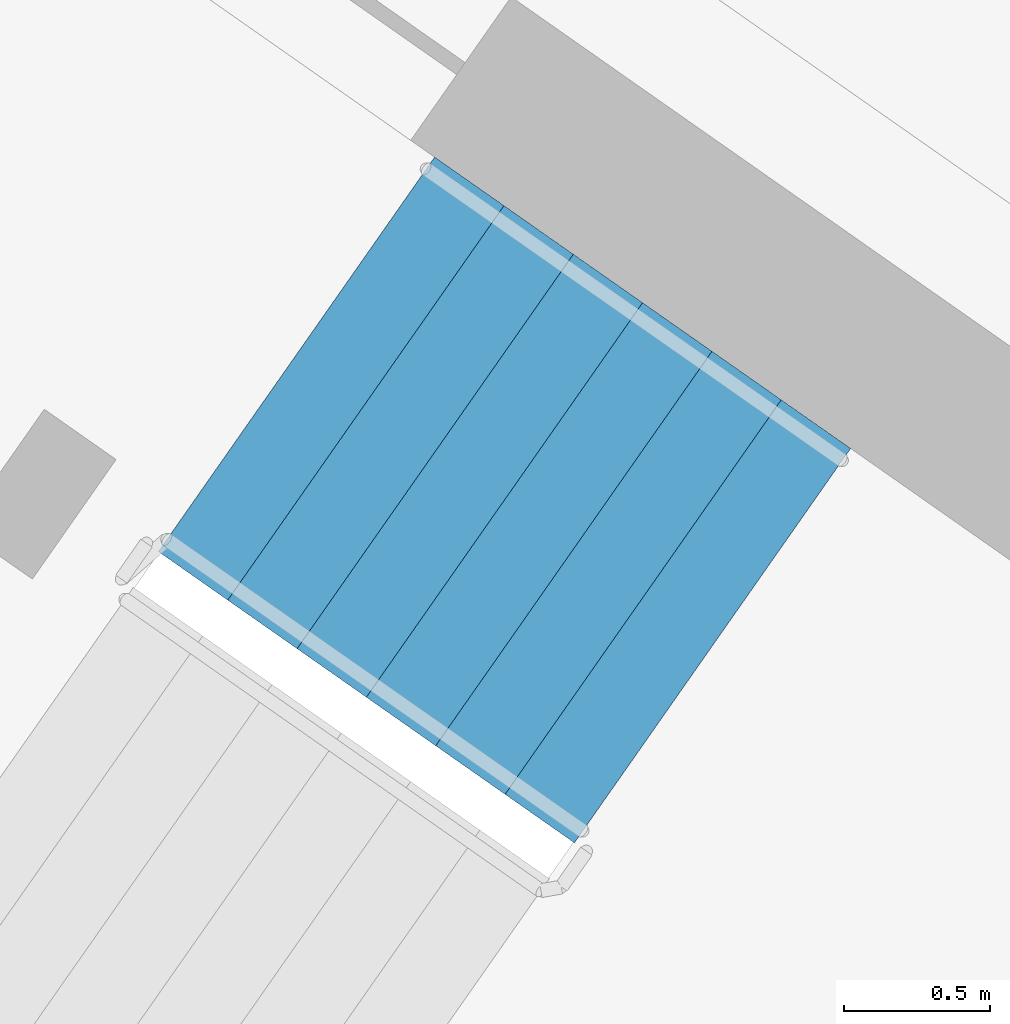
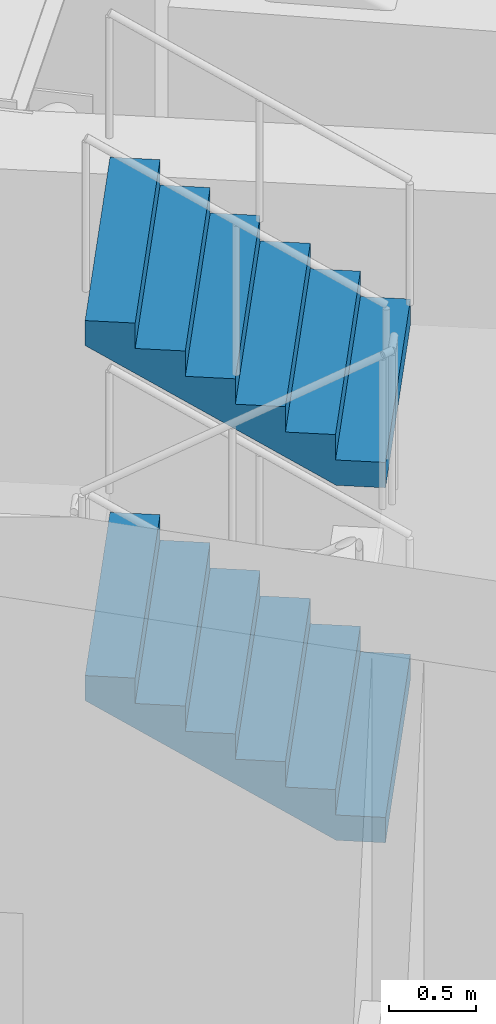
# One storey, part 16 of 24: 2 stair flights, 1 element without a shape of its own.
"""IFC4 building model written with IfcOpenShell, lengths in metres."""

from ifc_helpers import new_model, si_unit, direction, frame, origin, place, context, subcontext, project, spatial, faceted_brep, material, type_object, element, aggregate, save


model = new_model("IFC4")

# Units and contexts
model_context = context("Model", 3, precision=1e-05, world=origin(), true_north=direction((0.0, 1.0)))
body_context = subcontext(model_context, "Body", "Model", "MODEL_VIEW")
ifc_project = project(units=[si_unit("LENGTHUNIT", "METRE"), si_unit("AREAUNIT", "SQUARE_METRE"), si_unit("VOLUMEUNIT", "CUBIC_METRE"), si_unit("PLANEANGLEUNIT", "RADIAN"), si_unit("MASSUNIT", "GRAM", prefix="KILO")], contexts=[model_context])

# Site, building, storey
site_placement = place(None, origin())
site = spatial("IfcSite", under=ifc_project, at=site_placement, CompositionType="ELEMENT")
building_placement = place(site_placement, origin())
building = spatial("IfcBuilding", under=site, at=building_placement, Name="Qamariyya Broadcast Tower", CompositionType="ELEMENT")
storey_placement = place(building_placement, frame((0.0, 0.0, 198.699951171875)))
storey = spatial("IfcBuildingStorey", under=building, at=storey_placement, Name="L47", CompositionType="ELEMENT", Elevation=198.699951171875)

# Stair, stair flights
ifc_material = material(Name="Concrete C50/60", Category="concrete")
stair_type = type_object("IfcStairType", Name="Exit stair 28 risers of 179 mm", PredefinedType="HALF_TURN_STAIR", material=ifc_material)
stair_placement = place(storey_placement, origin())
stair = element("IfcStair", 1, at=stair_placement, inside=storey, type_object=stair_type, Name="L47 Stair W2", PredefinedType="HALF_TURN_STAIR")
stair_flight_type = type_object("IfcStairFlightType", Name="Exit stair flight 7 risers of 179 mm", PredefinedType="STRAIGHT", material=ifc_material)
stair_flight_1_placement = place(storey_placement, frame((-39.133544921875, -48.683349609375, 1.25), z_axis=(0.0, 0.0, 1.0), x_axis=(-0.819152044289, 0.573576436351, 0.0)))
stair_flight_1 = element("IfcStairFlight", 2, at=stair_flight_1_placement, type_object=stair_flight_type, Name="ST-W2 flight 2", NumberOfRisers=7, NumberOfTreads=6, PredefinedType="STRAIGHT", RiserHeight=0.178571429, TreadLength=0.29, context=body_context, shape_type="Brep", body=[
    faceted_brep([(0.0, 0.824951171875, 0.0), (0.0, 0.824951171875, 0.178466796875), (0.2900390625, 0.824951171875, 0.178466796875), (0.2900390625, 0.824951171875, 0.357177734375), (0.580078125, 0.824951171875, 0.357177734375), (0.580078125, 0.824951171875, 0.53564453125), (0.8701171875, 0.824951171875, 0.53564453125), (0.8701171875, 0.824951171875, 0.71435546875), (1.159912109375, 0.824951171875, 0.71435546875), (1.159912109375, 0.824951171875, 0.892822265625), (1.449951171875, 0.824951171875, 0.892822265625), (1.449951171875, 0.824951171875, 1.071533203125), (1.739990234375, 0.824951171875, 1.071533203125), (1.739990234375, 0.824951171875, 0.8955078125), (0.285888671875, 0.824951171875, 0.0), (0.285888671875, -0.824951171875, 0.0), (1.739990234375, -0.824951171875, 0.8955078125), (1.739990234375, -0.824951171875, 1.071533203125), (1.449951171875, -0.824951171875, 1.071533203125), (1.449951171875, -0.824951171875, 0.892822265625), (1.159912109375, -0.824951171875, 0.892822265625), (1.159912109375, -0.824951171875, 0.71435546875), (0.8701171875, -0.824951171875, 0.71435546875), (0.8701171875, -0.824951171875, 0.53564453125), (0.580078125, -0.824951171875, 0.53564453125), (0.580078125, -0.824951171875, 0.357177734375), (0.2900390625, -0.824951171875, 0.357177734375), (0.2900390625, -0.824951171875, 0.178466796875), (0.0, -0.824951171875, 0.178466796875), (0.0, -0.824951171875, 0.0), (0.0, 0.10009765625, 0.0), (0.0, 0.086669921875, 0.0), (0.0, 0.0732421875, 0.0), (0.0, 0.06005859375, 0.0), (0.0, 0.046630859375, 0.0), (0.0, 0.033447265625, 0.0), (0.0, 0.02001953125, 0.0), (0.0, 0.006591796875, 0.0), (0.0, -0.006591796875, 0.0), (0.0, -0.02001953125, 0.0), (0.0, -0.033447265625, 0.0), (0.0, -0.046630859375, 0.0), (0.0, -0.06005859375, 0.0), (0.0, -0.0732421875, 0.0), (0.0, -0.086669921875, 0.0), (0.0, -0.10009765625, 0.0), (0.0, -0.10009765625, 0.178466796875), (0.0, -0.086669921875, 0.178466796875), (0.0, -0.0732421875, 0.178466796875), (0.0, -0.06005859375, 0.178466796875), (0.0, -0.046630859375, 0.178466796875), (0.0, -0.033447265625, 0.178466796875), (0.0, -0.02001953125, 0.178466796875), (0.0, -0.006591796875, 0.178466796875), (0.0, 0.006591796875, 0.178466796875), (0.0, 0.02001953125, 0.178466796875), (0.0, 0.033447265625, 0.178466796875), (0.0, 0.046630859375, 0.178466796875), (0.0, 0.06005859375, 0.178466796875), (0.0, 0.0732421875, 0.178466796875), (0.0, 0.086669921875, 0.178466796875), (0.0, 0.10009765625, 0.178466796875), (0.2900390625, -0.10009765625, 0.178466796875), (0.2900390625, -0.086669921875, 0.178466796875), (0.2900390625, -0.0732421875, 0.178466796875), (0.2900390625, -0.06005859375, 0.178466796875), (0.2900390625, -0.046630859375, 0.178466796875), (0.2900390625, -0.033447265625, 0.178466796875), (0.2900390625, -0.02001953125, 0.178466796875), (0.2900390625, -0.006591796875, 0.178466796875), (0.2900390625, 0.006591796875, 0.178466796875), (0.2900390625, 0.02001953125, 0.178466796875), (0.2900390625, 0.033447265625, 0.178466796875), (0.2900390625, 0.046630859375, 0.178466796875), (0.2900390625, 0.06005859375, 0.178466796875), (0.2900390625, 0.0732421875, 0.178466796875), (0.2900390625, 0.086669921875, 0.178466796875), (0.2900390625, 0.10009765625, 0.178466796875), (0.2900390625, -0.10009765625, 0.357177734375), (0.2900390625, -0.086669921875, 0.357177734375), (0.2900390625, -0.0732421875, 0.357177734375), (0.2900390625, -0.06005859375, 0.357177734375), (0.2900390625, -0.046630859375, 0.357177734375), (0.2900390625, -0.033447265625, 0.357177734375), (0.2900390625, -0.02001953125, 0.357177734375), (0.2900390625, -0.006591796875, 0.357177734375), (0.2900390625, 0.006591796875, 0.357177734375), (0.2900390625, 0.02001953125, 0.357177734375), (0.2900390625, 0.033447265625, 0.357177734375), (0.2900390625, 0.046630859375, 0.357177734375), (0.2900390625, 0.06005859375, 0.357177734375), (0.2900390625, 0.0732421875, 0.357177734375), (0.2900390625, 0.086669921875, 0.357177734375), (0.2900390625, 0.10009765625, 0.357177734375), (0.580078125, -0.10009765625, 0.357177734375), (0.580078125, -0.086669921875, 0.357177734375), (0.580078125, -0.0732421875, 0.357177734375), (0.580078125, -0.06005859375, 0.357177734375), (0.580078125, -0.046630859375, 0.357177734375), (0.580078125, -0.033447265625, 0.357177734375), (0.580078125, -0.02001953125, 0.357177734375), (0.580078125, -0.006591796875, 0.357177734375), (0.580078125, 0.006591796875, 0.357177734375), (0.580078125, 0.02001953125, 0.357177734375), (0.580078125, 0.033447265625, 0.357177734375), (0.580078125, 0.046630859375, 0.357177734375), (0.580078125, 0.06005859375, 0.357177734375), (0.580078125, 0.0732421875, 0.357177734375), (0.580078125, 0.086669921875, 0.357177734375), (0.580078125, 0.10009765625, 0.357177734375), (0.580078125, -0.10009765625, 0.53564453125), (0.580078125, -0.086669921875, 0.53564453125), (0.580078125, -0.0732421875, 0.53564453125), (0.580078125, -0.06005859375, 0.53564453125), (0.580078125, -0.046630859375, 0.53564453125), (0.580078125, -0.033447265625, 0.53564453125), (0.580078125, -0.02001953125, 0.53564453125), (0.580078125, -0.006591796875, 0.53564453125), (0.580078125, 0.006591796875, 0.53564453125), (0.580078125, 0.02001953125, 0.53564453125), (0.580078125, 0.033447265625, 0.53564453125), (0.580078125, 0.046630859375, 0.53564453125), (0.580078125, 0.06005859375, 0.53564453125), (0.580078125, 0.0732421875, 0.53564453125), (0.580078125, 0.086669921875, 0.53564453125), (0.580078125, 0.10009765625, 0.53564453125), (0.8701171875, -0.10009765625, 0.53564453125), (0.8701171875, -0.086669921875, 0.53564453125), (0.8701171875, -0.0732421875, 0.53564453125), (0.8701171875, -0.06005859375, 0.53564453125), (0.8701171875, -0.046630859375, 0.53564453125), (0.8701171875, -0.033447265625, 0.53564453125), (0.8701171875, -0.02001953125, 0.53564453125), (0.8701171875, -0.006591796875, 0.53564453125), (0.8701171875, 0.006591796875, 0.53564453125), (0.8701171875, 0.02001953125, 0.53564453125), (0.8701171875, 0.033447265625, 0.53564453125), (0.8701171875, 0.046630859375, 0.53564453125), (0.8701171875, 0.06005859375, 0.53564453125), (0.8701171875, 0.0732421875, 0.53564453125), (0.8701171875, 0.086669921875, 0.53564453125), (0.8701171875, 0.10009765625, 0.53564453125), (0.8701171875, -0.10009765625, 0.71435546875), (0.8701171875, -0.086669921875, 0.71435546875), (0.8701171875, -0.0732421875, 0.71435546875), (0.8701171875, -0.06005859375, 0.71435546875), (0.8701171875, -0.046630859375, 0.71435546875), (0.8701171875, -0.033447265625, 0.71435546875), (0.8701171875, -0.02001953125, 0.71435546875), (0.8701171875, -0.006591796875, 0.71435546875), (0.8701171875, 0.006591796875, 0.71435546875), (0.8701171875, 0.02001953125, 0.71435546875), (0.8701171875, 0.033447265625, 0.71435546875), (0.8701171875, 0.046630859375, 0.71435546875), (0.8701171875, 0.06005859375, 0.71435546875), (0.8701171875, 0.0732421875, 0.71435546875), (0.8701171875, 0.086669921875, 0.71435546875), (0.8701171875, 0.10009765625, 0.71435546875), (1.159912109375, -0.10009765625, 0.71435546875), (1.159912109375, -0.086669921875, 0.71435546875), (1.159912109375, -0.0732421875, 0.71435546875), (1.159912109375, -0.06005859375, 0.71435546875), (1.159912109375, -0.046630859375, 0.71435546875), (1.159912109375, -0.033447265625, 0.71435546875), (1.159912109375, -0.02001953125, 0.71435546875), (1.159912109375, -0.006591796875, 0.71435546875), (1.159912109375, 0.006591796875, 0.71435546875), (1.159912109375, 0.02001953125, 0.71435546875), (1.159912109375, 0.033447265625, 0.71435546875), (1.159912109375, 0.046630859375, 0.71435546875), (1.159912109375, 0.06005859375, 0.71435546875), (1.159912109375, 0.0732421875, 0.71435546875), (1.159912109375, 0.086669921875, 0.71435546875), (1.159912109375, 0.10009765625, 0.71435546875), (1.159912109375, -0.10009765625, 0.892822265625), (1.159912109375, -0.086669921875, 0.892822265625), (1.159912109375, -0.0732421875, 0.892822265625), (1.159912109375, -0.06005859375, 0.892822265625), (1.159912109375, -0.046630859375, 0.892822265625), (1.159912109375, -0.033447265625, 0.892822265625), (1.159912109375, -0.02001953125, 0.892822265625), (1.159912109375, -0.006591796875, 0.892822265625), (1.159912109375, 0.006591796875, 0.892822265625), (1.159912109375, 0.02001953125, 0.892822265625), (1.159912109375, 0.033447265625, 0.892822265625), (1.159912109375, 0.046630859375, 0.892822265625), (1.159912109375, 0.06005859375, 0.892822265625), (1.159912109375, 0.0732421875, 0.892822265625), (1.159912109375, 0.086669921875, 0.892822265625), (1.159912109375, 0.10009765625, 0.892822265625), (1.449951171875, -0.10009765625, 0.892822265625), (1.449951171875, -0.086669921875, 0.892822265625), (1.449951171875, -0.0732421875, 0.892822265625), (1.449951171875, -0.06005859375, 0.892822265625), (1.449951171875, -0.046630859375, 0.892822265625), (1.449951171875, -0.033447265625, 0.892822265625), (1.449951171875, -0.02001953125, 0.892822265625), (1.449951171875, -0.006591796875, 0.892822265625), (1.449951171875, 0.006591796875, 0.892822265625), (1.449951171875, 0.02001953125, 0.892822265625), (1.449951171875, 0.033447265625, 0.892822265625), (1.449951171875, 0.046630859375, 0.892822265625), (1.449951171875, 0.06005859375, 0.892822265625), (1.449951171875, 0.0732421875, 0.892822265625), (1.449951171875, 0.086669921875, 0.892822265625), (1.449951171875, 0.10009765625, 0.892822265625), (1.449951171875, -0.10009765625, 1.071533203125), (1.449951171875, -0.086669921875, 1.071533203125), (1.449951171875, -0.0732421875, 1.071533203125), (1.449951171875, -0.06005859375, 1.071533203125), (1.449951171875, -0.046630859375, 1.071533203125), (1.449951171875, -0.033447265625, 1.071533203125), (1.449951171875, -0.02001953125, 1.071533203125), (1.449951171875, -0.006591796875, 1.071533203125), (1.449951171875, 0.006591796875, 1.071533203125), (1.449951171875, 0.02001953125, 1.071533203125), (1.449951171875, 0.033447265625, 1.071533203125), (1.449951171875, 0.046630859375, 1.071533203125), (1.449951171875, 0.06005859375, 1.071533203125), (1.449951171875, 0.0732421875, 1.071533203125), (1.449951171875, 0.086669921875, 1.071533203125), (1.449951171875, 0.10009765625, 1.071533203125), (1.739990234375, -0.10009765625, 1.071533203125), (1.739990234375, -0.086669921875, 1.071533203125), (1.739990234375, -0.0732421875, 1.071533203125), (1.739990234375, -0.06005859375, 1.071533203125), (1.739990234375, -0.046630859375, 1.071533203125), (1.739990234375, -0.033447265625, 1.071533203125), (1.739990234375, -0.02001953125, 1.071533203125), (1.739990234375, -0.006591796875, 1.071533203125), (1.739990234375, 0.006591796875, 1.071533203125), (1.739990234375, 0.02001953125, 1.071533203125), (1.739990234375, 0.033447265625, 1.071533203125), (1.739990234375, 0.046630859375, 1.071533203125), (1.739990234375, 0.06005859375, 1.071533203125), (1.739990234375, 0.0732421875, 1.071533203125), (1.739990234375, 0.086669921875, 1.071533203125), (1.739990234375, 0.10009765625, 1.071533203125), (1.739990234375, -0.10009765625, 0.8955078125), (1.739990234375, -0.086669921875, 0.8955078125), (1.739990234375, -0.0732421875, 0.8955078125), (1.739990234375, -0.06005859375, 0.8955078125), (1.739990234375, -0.046630859375, 0.8955078125), (1.739990234375, -0.033447265625, 0.8955078125), (1.739990234375, -0.02001953125, 0.8955078125), (1.739990234375, -0.006591796875, 0.8955078125), (1.739990234375, 0.006591796875, 0.8955078125), (1.739990234375, 0.02001953125, 0.8955078125), (1.739990234375, 0.033447265625, 0.8955078125), (1.739990234375, 0.046630859375, 0.8955078125), (1.739990234375, 0.06005859375, 0.8955078125), (1.739990234375, 0.0732421875, 0.8955078125), (1.739990234375, 0.086669921875, 0.8955078125), (1.739990234375, 0.10009765625, 0.8955078125), (0.285888671875, -0.10009765625, 0.0), (0.285888671875, -0.086669921875, 0.0), (0.285888671875, -0.0732421875, 0.0), (0.285888671875, -0.06005859375, 0.0), (0.285888671875, -0.046630859375, 0.0), (0.285888671875, -0.033447265625, 0.0), (0.285888671875, -0.02001953125, 0.0), (0.285888671875, -0.006591796875, 0.0), (0.285888671875, 0.006591796875, 0.0), (0.285888671875, 0.02001953125, 0.0), (0.285888671875, 0.033447265625, 0.0), (0.285888671875, 0.046630859375, 0.0), (0.285888671875, 0.06005859375, 0.0), (0.285888671875, 0.0732421875, 0.0), (0.285888671875, 0.086669921875, 0.0), (0.285888671875, 0.10009765625, 0.0)], [[[0, 1, 2, 3, 4, 5, 6, 7, 8, 9, 10, 11, 12, 13, 14]], [[15, 16, 17, 18, 19, 20, 21, 22, 23, 24, 25, 26, 27, 28, 29]], [[0, 30, 31, 32, 33, 34, 35, 36, 37, 38, 39, 40, 41, 42, 43, 44, 45, 29, 28, 46, 47, 48, 49, 50, 51, 52, 53, 54, 55, 56, 57, 58, 59, 60, 61, 1]], [[1, 61, 60, 59, 58, 57, 56, 55, 54, 53, 52, 51, 50, 49, 48, 47, 46, 28, 27, 62, 63, 64, 65, 66, 67, 68, 69, 70, 71, 72, 73, 74, 75, 76, 77, 2]], [[2, 77, 76, 75, 74, 73, 72, 71, 70, 69, 68, 67, 66, 65, 64, 63, 62, 27, 26, 78, 79, 80, 81, 82, 83, 84, 85, 86, 87, 88, 89, 90, 91, 92, 93, 3]], [[3, 93, 92, 91, 90, 89, 88, 87, 86, 85, 84, 83, 82, 81, 80, 79, 78, 26, 25, 94, 95, 96, 97, 98, 99, 100, 101, 102, 103, 104, 105, 106, 107, 108, 109, 4]], [[4, 109, 108, 107, 106, 105, 104, 103, 102, 101, 100, 99, 98, 97, 96, 95, 94, 25, 24, 110, 111, 112, 113, 114, 115, 116, 117, 118, 119, 120, 121, 122, 123, 124, 125, 5]], [[5, 125, 124, 123, 122, 121, 120, 119, 118, 117, 116, 115, 114, 113, 112, 111, 110, 24, 23, 126, 127, 128, 129, 130, 131, 132, 133, 134, 135, 136, 137, 138, 139, 140, 141, 6]], [[6, 141, 140, 139, 138, 137, 136, 135, 134, 133, 132, 131, 130, 129, 128, 127, 126, 23, 22, 142, 143, 144, 145, 146, 147, 148, 149, 150, 151, 152, 153, 154, 155, 156, 157, 7]], [[7, 157, 156, 155, 154, 153, 152, 151, 150, 149, 148, 147, 146, 145, 144, 143, 142, 22, 21, 158, 159, 160, 161, 162, 163, 164, 165, 166, 167, 168, 169, 170, 171, 172, 173, 8]], [[8, 173, 172, 171, 170, 169, 168, 167, 166, 165, 164, 163, 162, 161, 160, 159, 158, 21, 20, 174, 175, 176, 177, 178, 179, 180, 181, 182, 183, 184, 185, 186, 187, 188, 189, 9]], [[9, 189, 188, 187, 186, 185, 184, 183, 182, 181, 180, 179, 178, 177, 176, 175, 174, 20, 19, 190, 191, 192, 193, 194, 195, 196, 197, 198, 199, 200, 201, 202, 203, 204, 205, 10]], [[10, 205, 204, 203, 202, 201, 200, 199, 198, 197, 196, 195, 194, 193, 192, 191, 190, 19, 18, 206, 207, 208, 209, 210, 211, 212, 213, 214, 215, 216, 217, 218, 219, 220, 221, 11]], [[11, 221, 220, 219, 218, 217, 216, 215, 214, 213, 212, 211, 210, 209, 208, 207, 206, 18, 17, 222, 223, 224, 225, 226, 227, 228, 229, 230, 231, 232, 233, 234, 235, 236, 237, 12]], [[12, 237, 236, 235, 234, 233, 232, 231, 230, 229, 228, 227, 226, 225, 224, 223, 222, 17, 16, 238, 239, 240, 241, 242, 243, 244, 245, 246, 247, 248, 249, 250, 251, 252, 253, 13]], [[13, 253, 252, 251, 250, 249, 248, 247, 246, 245, 244, 243, 242, 241, 240, 239, 238, 16, 15, 254, 255, 256, 257, 258, 259, 260, 261, 262, 263, 264, 265, 266, 267, 268, 269, 14]], [[14, 269, 268, 267, 266, 265, 264, 263, 262, 261, 260, 259, 258, 257, 256, 255, 254, 15, 29, 45, 44, 43, 42, 41, 40, 39, 38, 37, 36, 35, 34, 33, 32, 31, 30, 0]]]),
])
stair_flight_2_placement = place(storey_placement, frame((-39.133544921875, -48.683349609375, 3.75), z_axis=(0.0, 0.0, 1.0), x_axis=(-0.819152044289, 0.573576436351, 0.0)))
stair_flight_2 = element("IfcStairFlight", 3, at=stair_flight_2_placement, type_object=stair_flight_type, Name="ST-W2 flight 4", NumberOfRisers=7, NumberOfTreads=6, PredefinedType="STRAIGHT", RiserHeight=0.178571429, TreadLength=0.29, context=body_context, shape_type="Brep", body=[
    faceted_brep([(0.0, 0.824951171875, 0.0), (0.0, 0.824951171875, 0.178466796875), (0.2900390625, 0.824951171875, 0.178466796875), (0.2900390625, 0.824951171875, 0.357177734375), (0.580078125, 0.824951171875, 0.357177734375), (0.580078125, 0.824951171875, 0.53564453125), (0.8701171875, 0.824951171875, 0.53564453125), (0.8701171875, 0.824951171875, 0.71435546875), (1.159912109375, 0.824951171875, 0.71435546875), (1.159912109375, 0.824951171875, 0.892822265625), (1.449951171875, 0.824951171875, 0.892822265625), (1.449951171875, 0.824951171875, 1.071533203125), (1.739990234375, 0.824951171875, 1.071533203125), (1.739990234375, 0.824951171875, 0.8955078125), (0.285888671875, 0.824951171875, 0.0), (0.285888671875, -0.824951171875, 0.0), (1.739990234375, -0.824951171875, 0.8955078125), (1.739990234375, -0.824951171875, 1.071533203125), (1.449951171875, -0.824951171875, 1.071533203125), (1.449951171875, -0.824951171875, 0.892822265625), (1.159912109375, -0.824951171875, 0.892822265625), (1.159912109375, -0.824951171875, 0.71435546875), (0.8701171875, -0.824951171875, 0.71435546875), (0.8701171875, -0.824951171875, 0.53564453125), (0.580078125, -0.824951171875, 0.53564453125), (0.580078125, -0.824951171875, 0.357177734375), (0.2900390625, -0.824951171875, 0.357177734375), (0.2900390625, -0.824951171875, 0.178466796875), (0.0, -0.824951171875, 0.178466796875), (0.0, -0.824951171875, 0.0), (0.0, 0.10009765625, 0.0), (0.0, 0.086669921875, 0.0), (0.0, 0.0732421875, 0.0), (0.0, 0.06005859375, 0.0), (0.0, 0.046630859375, 0.0), (0.0, 0.033447265625, 0.0), (0.0, 0.02001953125, 0.0), (0.0, 0.006591796875, 0.0), (0.0, -0.006591796875, 0.0), (0.0, -0.02001953125, 0.0), (0.0, -0.033447265625, 0.0), (0.0, -0.046630859375, 0.0), (0.0, -0.06005859375, 0.0), (0.0, -0.0732421875, 0.0), (0.0, -0.086669921875, 0.0), (0.0, -0.10009765625, 0.0), (0.0, -0.10009765625, 0.178466796875), (0.0, -0.086669921875, 0.178466796875), (0.0, -0.0732421875, 0.178466796875), (0.0, -0.06005859375, 0.178466796875), (0.0, -0.046630859375, 0.178466796875), (0.0, -0.033447265625, 0.178466796875), (0.0, -0.02001953125, 0.178466796875), (0.0, -0.006591796875, 0.178466796875), (0.0, 0.006591796875, 0.178466796875), (0.0, 0.02001953125, 0.178466796875), (0.0, 0.033447265625, 0.178466796875), (0.0, 0.046630859375, 0.178466796875), (0.0, 0.06005859375, 0.178466796875), (0.0, 0.0732421875, 0.178466796875), (0.0, 0.086669921875, 0.178466796875), (0.0, 0.10009765625, 0.178466796875), (0.2900390625, -0.10009765625, 0.178466796875), (0.2900390625, -0.086669921875, 0.178466796875), (0.2900390625, -0.0732421875, 0.178466796875), (0.2900390625, -0.06005859375, 0.178466796875), (0.2900390625, -0.046630859375, 0.178466796875), (0.2900390625, -0.033447265625, 0.178466796875), (0.2900390625, -0.02001953125, 0.178466796875), (0.2900390625, -0.006591796875, 0.178466796875), (0.2900390625, 0.006591796875, 0.178466796875), (0.2900390625, 0.02001953125, 0.178466796875), (0.2900390625, 0.033447265625, 0.178466796875), (0.2900390625, 0.046630859375, 0.178466796875), (0.2900390625, 0.06005859375, 0.178466796875), (0.2900390625, 0.0732421875, 0.178466796875), (0.2900390625, 0.086669921875, 0.178466796875), (0.2900390625, 0.10009765625, 0.178466796875), (0.2900390625, -0.10009765625, 0.357177734375), (0.2900390625, -0.086669921875, 0.357177734375), (0.2900390625, -0.0732421875, 0.357177734375), (0.2900390625, -0.06005859375, 0.357177734375), (0.2900390625, -0.046630859375, 0.357177734375), (0.2900390625, -0.033447265625, 0.357177734375), (0.2900390625, -0.02001953125, 0.357177734375), (0.2900390625, -0.006591796875, 0.357177734375), (0.2900390625, 0.006591796875, 0.357177734375), (0.2900390625, 0.02001953125, 0.357177734375), (0.2900390625, 0.033447265625, 0.357177734375), (0.2900390625, 0.046630859375, 0.357177734375), (0.2900390625, 0.06005859375, 0.357177734375), (0.2900390625, 0.0732421875, 0.357177734375), (0.2900390625, 0.086669921875, 0.357177734375), (0.2900390625, 0.10009765625, 0.357177734375), (0.580078125, -0.10009765625, 0.357177734375), (0.580078125, -0.086669921875, 0.357177734375), (0.580078125, -0.0732421875, 0.357177734375), (0.580078125, -0.06005859375, 0.357177734375), (0.580078125, -0.046630859375, 0.357177734375), (0.580078125, -0.033447265625, 0.357177734375), (0.580078125, -0.02001953125, 0.357177734375), (0.580078125, -0.006591796875, 0.357177734375), (0.580078125, 0.006591796875, 0.357177734375), (0.580078125, 0.02001953125, 0.357177734375), (0.580078125, 0.033447265625, 0.357177734375), (0.580078125, 0.046630859375, 0.357177734375), (0.580078125, 0.06005859375, 0.357177734375), (0.580078125, 0.0732421875, 0.357177734375), (0.580078125, 0.086669921875, 0.357177734375), (0.580078125, 0.10009765625, 0.357177734375), (0.580078125, -0.10009765625, 0.53564453125), (0.580078125, -0.086669921875, 0.53564453125), (0.580078125, -0.0732421875, 0.53564453125), (0.580078125, -0.06005859375, 0.53564453125), (0.580078125, -0.046630859375, 0.53564453125), (0.580078125, -0.033447265625, 0.53564453125), (0.580078125, -0.02001953125, 0.53564453125), (0.580078125, -0.006591796875, 0.53564453125), (0.580078125, 0.006591796875, 0.53564453125), (0.580078125, 0.02001953125, 0.53564453125), (0.580078125, 0.033447265625, 0.53564453125), (0.580078125, 0.046630859375, 0.53564453125), (0.580078125, 0.06005859375, 0.53564453125), (0.580078125, 0.0732421875, 0.53564453125), (0.580078125, 0.086669921875, 0.53564453125), (0.580078125, 0.10009765625, 0.53564453125), (0.8701171875, -0.10009765625, 0.53564453125), (0.8701171875, -0.086669921875, 0.53564453125), (0.8701171875, -0.0732421875, 0.53564453125), (0.8701171875, -0.06005859375, 0.53564453125), (0.8701171875, -0.046630859375, 0.53564453125), (0.8701171875, -0.033447265625, 0.53564453125), (0.8701171875, -0.02001953125, 0.53564453125), (0.8701171875, -0.006591796875, 0.53564453125), (0.8701171875, 0.006591796875, 0.53564453125), (0.8701171875, 0.02001953125, 0.53564453125), (0.8701171875, 0.033447265625, 0.53564453125), (0.8701171875, 0.046630859375, 0.53564453125), (0.8701171875, 0.06005859375, 0.53564453125), (0.8701171875, 0.0732421875, 0.53564453125), (0.8701171875, 0.086669921875, 0.53564453125), (0.8701171875, 0.10009765625, 0.53564453125), (0.8701171875, -0.10009765625, 0.71435546875), (0.8701171875, -0.086669921875, 0.71435546875), (0.8701171875, -0.0732421875, 0.71435546875), (0.8701171875, -0.06005859375, 0.71435546875), (0.8701171875, -0.046630859375, 0.71435546875), (0.8701171875, -0.033447265625, 0.71435546875), (0.8701171875, -0.02001953125, 0.71435546875), (0.8701171875, -0.006591796875, 0.71435546875), (0.8701171875, 0.006591796875, 0.71435546875), (0.8701171875, 0.02001953125, 0.71435546875), (0.8701171875, 0.033447265625, 0.71435546875), (0.8701171875, 0.046630859375, 0.71435546875), (0.8701171875, 0.06005859375, 0.71435546875), (0.8701171875, 0.0732421875, 0.71435546875), (0.8701171875, 0.086669921875, 0.71435546875), (0.8701171875, 0.10009765625, 0.71435546875), (1.159912109375, -0.10009765625, 0.71435546875), (1.159912109375, -0.086669921875, 0.71435546875), (1.159912109375, -0.0732421875, 0.71435546875), (1.159912109375, -0.06005859375, 0.71435546875), (1.159912109375, -0.046630859375, 0.71435546875), (1.159912109375, -0.033447265625, 0.71435546875), (1.159912109375, -0.02001953125, 0.71435546875), (1.159912109375, -0.006591796875, 0.71435546875), (1.159912109375, 0.006591796875, 0.71435546875), (1.159912109375, 0.02001953125, 0.71435546875), (1.159912109375, 0.033447265625, 0.71435546875), (1.159912109375, 0.046630859375, 0.71435546875), (1.159912109375, 0.06005859375, 0.71435546875), (1.159912109375, 0.0732421875, 0.71435546875), (1.159912109375, 0.086669921875, 0.71435546875), (1.159912109375, 0.10009765625, 0.71435546875), (1.159912109375, -0.10009765625, 0.892822265625), (1.159912109375, -0.086669921875, 0.892822265625), (1.159912109375, -0.0732421875, 0.892822265625), (1.159912109375, -0.06005859375, 0.892822265625), (1.159912109375, -0.046630859375, 0.892822265625), (1.159912109375, -0.033447265625, 0.892822265625), (1.159912109375, -0.02001953125, 0.892822265625), (1.159912109375, -0.006591796875, 0.892822265625), (1.159912109375, 0.006591796875, 0.892822265625), (1.159912109375, 0.02001953125, 0.892822265625), (1.159912109375, 0.033447265625, 0.892822265625), (1.159912109375, 0.046630859375, 0.892822265625), (1.159912109375, 0.06005859375, 0.892822265625), (1.159912109375, 0.0732421875, 0.892822265625), (1.159912109375, 0.086669921875, 0.892822265625), (1.159912109375, 0.10009765625, 0.892822265625), (1.449951171875, -0.10009765625, 0.892822265625), (1.449951171875, -0.086669921875, 0.892822265625), (1.449951171875, -0.0732421875, 0.892822265625), (1.449951171875, -0.06005859375, 0.892822265625), (1.449951171875, -0.046630859375, 0.892822265625), (1.449951171875, -0.033447265625, 0.892822265625), (1.449951171875, -0.02001953125, 0.892822265625), (1.449951171875, -0.006591796875, 0.892822265625), (1.449951171875, 0.006591796875, 0.892822265625), (1.449951171875, 0.02001953125, 0.892822265625), (1.449951171875, 0.033447265625, 0.892822265625), (1.449951171875, 0.046630859375, 0.892822265625), (1.449951171875, 0.06005859375, 0.892822265625), (1.449951171875, 0.0732421875, 0.892822265625), (1.449951171875, 0.086669921875, 0.892822265625), (1.449951171875, 0.10009765625, 0.892822265625), (1.449951171875, -0.10009765625, 1.071533203125), (1.449951171875, -0.086669921875, 1.071533203125), (1.449951171875, -0.0732421875, 1.071533203125), (1.449951171875, -0.06005859375, 1.071533203125), (1.449951171875, -0.046630859375, 1.071533203125), (1.449951171875, -0.033447265625, 1.071533203125), (1.449951171875, -0.02001953125, 1.071533203125), (1.449951171875, -0.006591796875, 1.071533203125), (1.449951171875, 0.006591796875, 1.071533203125), (1.449951171875, 0.02001953125, 1.071533203125), (1.449951171875, 0.033447265625, 1.071533203125), (1.449951171875, 0.046630859375, 1.071533203125), (1.449951171875, 0.06005859375, 1.071533203125), (1.449951171875, 0.0732421875, 1.071533203125), (1.449951171875, 0.086669921875, 1.071533203125), (1.449951171875, 0.10009765625, 1.071533203125), (1.739990234375, -0.10009765625, 1.071533203125), (1.739990234375, -0.086669921875, 1.071533203125), (1.739990234375, -0.0732421875, 1.071533203125), (1.739990234375, -0.06005859375, 1.071533203125), (1.739990234375, -0.046630859375, 1.071533203125), (1.739990234375, -0.033447265625, 1.071533203125), (1.739990234375, -0.02001953125, 1.071533203125), (1.739990234375, -0.006591796875, 1.071533203125), (1.739990234375, 0.006591796875, 1.071533203125), (1.739990234375, 0.02001953125, 1.071533203125), (1.739990234375, 0.033447265625, 1.071533203125), (1.739990234375, 0.046630859375, 1.071533203125), (1.739990234375, 0.06005859375, 1.071533203125), (1.739990234375, 0.0732421875, 1.071533203125), (1.739990234375, 0.086669921875, 1.071533203125), (1.739990234375, 0.10009765625, 1.071533203125), (1.739990234375, -0.10009765625, 0.8955078125), (1.739990234375, -0.086669921875, 0.8955078125), (1.739990234375, -0.0732421875, 0.8955078125), (1.739990234375, -0.06005859375, 0.8955078125), (1.739990234375, -0.046630859375, 0.8955078125), (1.739990234375, -0.033447265625, 0.8955078125), (1.739990234375, -0.02001953125, 0.8955078125), (1.739990234375, -0.006591796875, 0.8955078125), (1.739990234375, 0.006591796875, 0.8955078125), (1.739990234375, 0.02001953125, 0.8955078125), (1.739990234375, 0.033447265625, 0.8955078125), (1.739990234375, 0.046630859375, 0.8955078125), (1.739990234375, 0.06005859375, 0.8955078125), (1.739990234375, 0.0732421875, 0.8955078125), (1.739990234375, 0.086669921875, 0.8955078125), (1.739990234375, 0.10009765625, 0.8955078125), (0.285888671875, -0.10009765625, 0.0), (0.285888671875, -0.086669921875, 0.0), (0.285888671875, -0.0732421875, 0.0), (0.285888671875, -0.06005859375, 0.0), (0.285888671875, -0.046630859375, 0.0), (0.285888671875, -0.033447265625, 0.0), (0.285888671875, -0.02001953125, 0.0), (0.285888671875, -0.006591796875, 0.0), (0.285888671875, 0.006591796875, 0.0), (0.285888671875, 0.02001953125, 0.0), (0.285888671875, 0.033447265625, 0.0), (0.285888671875, 0.046630859375, 0.0), (0.285888671875, 0.06005859375, 0.0), (0.285888671875, 0.0732421875, 0.0), (0.285888671875, 0.086669921875, 0.0), (0.285888671875, 0.10009765625, 0.0)], [[[0, 1, 2, 3, 4, 5, 6, 7, 8, 9, 10, 11, 12, 13, 14]], [[15, 16, 17, 18, 19, 20, 21, 22, 23, 24, 25, 26, 27, 28, 29]], [[0, 30, 31, 32, 33, 34, 35, 36, 37, 38, 39, 40, 41, 42, 43, 44, 45, 29, 28, 46, 47, 48, 49, 50, 51, 52, 53, 54, 55, 56, 57, 58, 59, 60, 61, 1]], [[1, 61, 60, 59, 58, 57, 56, 55, 54, 53, 52, 51, 50, 49, 48, 47, 46, 28, 27, 62, 63, 64, 65, 66, 67, 68, 69, 70, 71, 72, 73, 74, 75, 76, 77, 2]], [[2, 77, 76, 75, 74, 73, 72, 71, 70, 69, 68, 67, 66, 65, 64, 63, 62, 27, 26, 78, 79, 80, 81, 82, 83, 84, 85, 86, 87, 88, 89, 90, 91, 92, 93, 3]], [[3, 93, 92, 91, 90, 89, 88, 87, 86, 85, 84, 83, 82, 81, 80, 79, 78, 26, 25, 94, 95, 96, 97, 98, 99, 100, 101, 102, 103, 104, 105, 106, 107, 108, 109, 4]], [[4, 109, 108, 107, 106, 105, 104, 103, 102, 101, 100, 99, 98, 97, 96, 95, 94, 25, 24, 110, 111, 112, 113, 114, 115, 116, 117, 118, 119, 120, 121, 122, 123, 124, 125, 5]], [[5, 125, 124, 123, 122, 121, 120, 119, 118, 117, 116, 115, 114, 113, 112, 111, 110, 24, 23, 126, 127, 128, 129, 130, 131, 132, 133, 134, 135, 136, 137, 138, 139, 140, 141, 6]], [[6, 141, 140, 139, 138, 137, 136, 135, 134, 133, 132, 131, 130, 129, 128, 127, 126, 23, 22, 142, 143, 144, 145, 146, 147, 148, 149, 150, 151, 152, 153, 154, 155, 156, 157, 7]], [[7, 157, 156, 155, 154, 153, 152, 151, 150, 149, 148, 147, 146, 145, 144, 143, 142, 22, 21, 158, 159, 160, 161, 162, 163, 164, 165, 166, 167, 168, 169, 170, 171, 172, 173, 8]], [[8, 173, 172, 171, 170, 169, 168, 167, 166, 165, 164, 163, 162, 161, 160, 159, 158, 21, 20, 174, 175, 176, 177, 178, 179, 180, 181, 182, 183, 184, 185, 186, 187, 188, 189, 9]], [[9, 189, 188, 187, 186, 185, 184, 183, 182, 181, 180, 179, 178, 177, 176, 175, 174, 20, 19, 190, 191, 192, 193, 194, 195, 196, 197, 198, 199, 200, 201, 202, 203, 204, 205, 10]], [[10, 205, 204, 203, 202, 201, 200, 199, 198, 197, 196, 195, 194, 193, 192, 191, 190, 19, 18, 206, 207, 208, 209, 210, 211, 212, 213, 214, 215, 216, 217, 218, 219, 220, 221, 11]], [[11, 221, 220, 219, 218, 217, 216, 215, 214, 213, 212, 211, 210, 209, 208, 207, 206, 18, 17, 222, 223, 224, 225, 226, 227, 228, 229, 230, 231, 232, 233, 234, 235, 236, 237, 12]], [[12, 237, 236, 235, 234, 233, 232, 231, 230, 229, 228, 227, 226, 225, 224, 223, 222, 17, 16, 238, 239, 240, 241, 242, 243, 244, 245, 246, 247, 248, 249, 250, 251, 252, 253, 13]], [[13, 253, 252, 251, 250, 249, 248, 247, 246, 245, 244, 243, 242, 241, 240, 239, 238, 16, 15, 254, 255, 256, 257, 258, 259, 260, 261, 262, 263, 264, 265, 266, 267, 268, 269, 14]], [[14, 269, 268, 267, 266, 265, 264, 263, 262, 261, 260, 259, 258, 257, 256, 255, 254, 15, 29, 45, 44, 43, 42, 41, 40, 39, 38, 37, 36, 35, 34, 33, 32, 31, 30, 0]]]),
])
aggregate(stair, [stair_flight_1, stair_flight_2])

save(model, "model.ifc")
